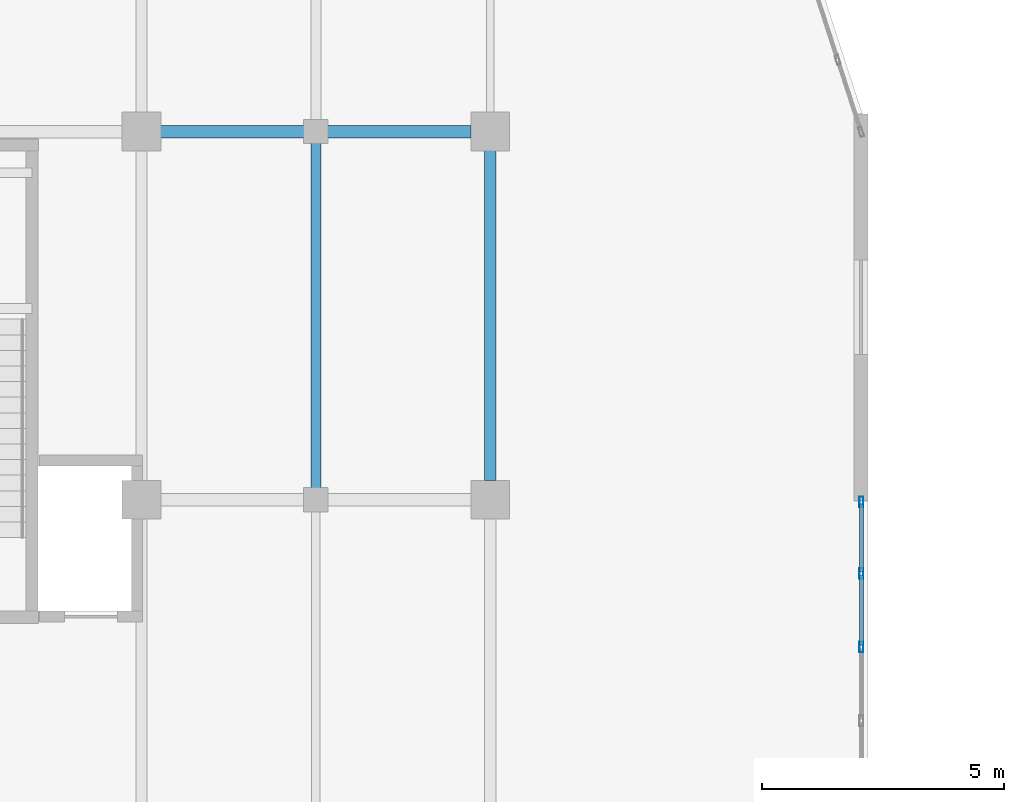
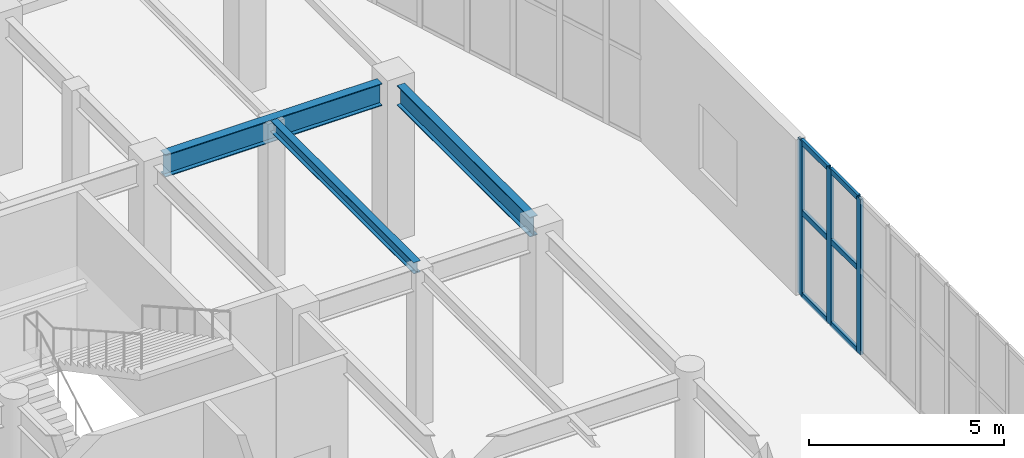
# One storey, part 47 of 128: 9 members, 3 beams, 1 element without a shape of its own.
"""IFC4 building model written with IfcOpenShell, lengths in metres."""

from ifc_helpers import new_model, si_unit, direction, frame, origin, origin_2d, place, context, subcontext, project, spatial, hollow_rectangle, i_section, extrude, material, layer, layer_set, material_profile, profile_set, type_object, element, aggregate, save


model = new_model("IFC4")

# Units and contexts
model_context = context("Model", 3, precision=1e-05, world=origin(), true_north=direction((0.0, 1.0)))
body_context = subcontext(model_context, "Body", "Model", "MODEL_VIEW")
ifc_project = project(units=[si_unit("LENGTHUNIT", "METRE"), si_unit("AREAUNIT", "SQUARE_METRE"), si_unit("VOLUMEUNIT", "CUBIC_METRE"), si_unit("PLANEANGLEUNIT", "RADIAN"), si_unit("MASSUNIT", "GRAM", prefix="KILO")], contexts=[model_context])

# Site, building, storey
site_placement = place(None, origin())
site = spatial("IfcSite", under=ifc_project, at=site_placement, CompositionType="ELEMENT")
building_placement = place(site_placement, origin())
building = spatial("IfcBuilding", under=site, at=building_placement, Name="Xicomal Pleat Aquarium", CompositionType="ELEMENT")
storey_placement = place(building_placement, frame((0.0, 0.0, 5.39990234375)))
storey = spatial("IfcBuildingStorey", under=building, at=storey_placement, Name="L02", CompositionType="ELEMENT", Elevation=5.39990234375)

# Beams
ifc_material_1 = material(Name="Structural steel A992 Gr 50", Category="steel")
ifc_material_profile_1 = material_profile(ifc_material_1, i_section(OverallWidth=0.205078125, OverallDepth=0.35400390625, WebThickness=0.009521484375, FlangeThickness=0.016845703125, at=origin_2d()), Name="IR 360x79")
ifc_profile_set_1 = profile_set([ifc_material_profile_1], Name="Structural steel A992 Gr 50")
beam_type_1 = type_object("IfcBeamType", Name="BM-STL-IR360", PredefinedType="JOIST", material=ifc_profile_set_1)
beam_1_placement = place(storey_placement, frame((114.60009765625, 53.3310546875, 4.68310546875), z_axis=(0.0, 1.0, 0.0), x_axis=(-1.0, 0.0, 0.0)))
element("IfcBeam", 1, at=beam_1_placement, inside=storey, type_object=beam_type_1, Name="L02 framing beam FBJ-L02-14-H-1", PredefinedType="JOIST", context=body_context, shape_type="SweptSolid", body=[
    extrude(i_section(OverallWidth=0.205078125, OverallDepth=0.35400390625, WebThickness=0.009521484375, FlangeThickness=0.016845703125, at=origin_2d()), origin(), (0.0, 0.0, 1.0), 7.337890625),
])
ifc_material_2 = material(Name="Structural steel A992 Gr 50", Category="steel")
ifc_material_profile_2 = material_profile(ifc_material_2, i_section(OverallWidth=0.22998046875, OverallDepth=0.616943359375, WebThickness=0.01318359375, FlangeThickness=0.022216796875, at=origin_2d()), Name="IR 610x140")
ifc_profile_set_2 = profile_set([ifc_material_profile_2], Name="Structural steel A992 Gr 50")
beam_type_2 = type_object("IfcBeamType", Name="BM-STL-IR610", PredefinedType="BEAM", material=ifc_profile_set_2)
beam_2_placement = place(storey_placement, frame((118.199951171875, 53.594970703125, 4.551513671875), z_axis=(0.0, 1.0, 0.0), x_axis=(-1.0, 0.0, 0.0)))
element("IfcBeam", 2, at=beam_2_placement, inside=storey, type_object=beam_type_2, Name="L02 framing beam FGY-L02-15-H-J", PredefinedType="BEAM", context=body_context, shape_type="SweptSolid", body=[
    extrude(i_section(OverallWidth=0.22998046875, OverallDepth=0.616943359375, WebThickness=0.01318359375, FlangeThickness=0.022216796875, at=origin_2d()), origin(), (0.0, 0.0, 1.0), 6.81005859375),
])
ifc_material_3 = material(Name="Structural steel A992 Gr 50", Category="steel")
ifc_material_profile_3 = material_profile(ifc_material_3, i_section(OverallWidth=0.256103515625, OverallDepth=0.693115234375, WebThickness=0.014404296875, FlangeThickness=0.023681640625, at=origin_2d()), Name="IR 690x170")
ifc_profile_set_3 = profile_set([ifc_material_profile_3], Name="Structural steel A992 Gr 50")
beam_type_3 = type_object("IfcBeamType", Name="BM-STL-IR690", PredefinedType="BEAM", material=ifc_profile_set_3)
beam_3_placement = place(storey_placement, frame((111.39501953125, 60.800048828125, 4.513671875), z_axis=(1.0, 0.0, 0.0), x_axis=(0.0, 1.0, 0.0)))
element("IfcBeam", 3, at=beam_3_placement, inside=storey, type_object=beam_type_3, Name="L02 framing beam FGX-L02-14-15-J", PredefinedType="BEAM", context=body_context, shape_type="SweptSolid", body=[
    extrude(i_section(OverallWidth=0.256103515625, OverallDepth=0.693115234375, WebThickness=0.014404296875, FlangeThickness=0.023681640625, at=origin_2d()), origin(), (0.0, 0.0, 1.0), 6.409912109375),
])

# Curtain wall, members
ifc_material_4 = material(Name="Bronze anodized aluminium 6063-T6", Category="aluminium")
ifc_layer = layer(ifc_material_4, 0.159912109375)
ifc_layer_set = layer_set([ifc_layer], Name="Bronze anodized aluminium 6063-T6")
curtain_wall_type = type_object("IfcCurtainWallType", Name="CW-SYS-12", PredefinedType="NOTDEFINED", material=ifc_layer_set)
curtain_wall_placement = place(storey_placement, origin())
curtain_wall = element("IfcCurtainWall", 4, at=curtain_wall_placement, inside=storey, type_object=curtain_wall_type, Name="L02 unitised curtain wall CW-L02-113", PredefinedType="NOTDEFINED")
ifc_material_5 = material(Name="Bronze anodized aluminium 6063-T6", Category="aluminium")
ifc_material_profile_4 = material_profile(ifc_material_5, hollow_rectangle(XDim=0.0849609375, YDim=0.219970703125, WallThickness=0.0048828125, at=origin_2d()), Name="ALU MULL 85x220")
ifc_profile_set_4 = profile_set([ifc_material_profile_4], Name="Bronze anodized aluminium 6063-T6")
member_type_1 = type_object("IfcMemberType", Name="CWM-85x220", PredefinedType="MULLION", material=ifc_profile_set_4)
member_1_placement = place(storey_placement, frame((125.860107421875, 53.157470703125, 0.0), z_axis=(0.0, 0.0, 1.0), x_axis=(1.0, 0.0, 0.0)))
member_1 = element("IfcMember", 5, at=member_1_placement, type_object=member_type_1, Name="CW-12 mullion 1", PredefinedType="MULLION", context=body_context, shape_type="SweptSolid", body=[
    extrude(hollow_rectangle(XDim=0.0849609375, YDim=0.219970703125, WallThickness=0.0048828125, at=origin_2d()), origin(), (0.0, 0.0, 1.0), 4.860107421875),
])
member_2_placement = place(storey_placement, frame((125.860107421875, 51.679931640625, 0.0), z_axis=(0.0, 0.0, 1.0), x_axis=(1.0, 0.0, 0.0)))
member_2 = element("IfcMember", 6, at=member_2_placement, type_object=member_type_1, Name="CW-12 mullion 2", PredefinedType="MULLION", context=body_context, shape_type="SweptSolid", body=[
    extrude(hollow_rectangle(XDim=0.0849609375, YDim=0.219970703125, WallThickness=0.0048828125, at=origin_2d()), origin(), (0.0, 0.0, 1.0), 4.860107421875),
])
member_3_placement = place(storey_placement, frame((125.860107421875, 50.159912109375, 0.0), z_axis=(0.0, 0.0, 1.0), x_axis=(1.0, 0.0, 0.0)))
member_3 = element("IfcMember", 7, at=member_3_placement, type_object=member_type_1, Name="CW-12 mullion 3", PredefinedType="MULLION", context=body_context, shape_type="SweptSolid", body=[
    extrude(hollow_rectangle(XDim=0.0849609375, YDim=0.219970703125, WallThickness=0.0048828125, at=origin_2d()), origin(), (0.0, 0.0, 1.0), 4.860107421875),
])
ifc_material_6 = material(Name="Bronze anodized aluminium 6063-T6", Category="aluminium")
ifc_material_profile_5 = material_profile(ifc_material_6, hollow_rectangle(XDim=0.0849609375, YDim=0.169921875, WallThickness=0.0048828125, at=origin_2d()), Name="ALU TRAN 85x170")
ifc_profile_set_5 = profile_set([ifc_material_profile_5], Name="Bronze anodized aluminium 6063-T6")
member_type_2 = type_object("IfcMemberType", Name="CWT-85x170", PredefinedType="USERDEFINED", material=ifc_profile_set_5)
member_4_placement = place(storey_placement, frame((125.860107421875, 53.114990234375, 0.04248046875), z_axis=(0.0, -1.0, 0.0), x_axis=(1.0, 0.0, 0.0)))
member_4 = element("IfcMember", 8, at=member_4_placement, type_object=member_type_2, Name="CW-12 transom 1.1", ObjectType="TRANSOM", PredefinedType="USERDEFINED", context=body_context, shape_type="SweptSolid", body=[
    extrude(hollow_rectangle(XDim=0.0849609375, YDim=0.169921875, WallThickness=0.0048828125, at=origin_2d()), origin(), (0.0, 0.0, 1.0), 1.392578125),
])
member_5_placement = place(storey_placement, frame((125.860107421875, 53.114990234375, 2.6240234375), z_axis=(0.0, -1.0, 0.0), x_axis=(1.0, 0.0, 0.0)))
member_5 = element("IfcMember", 9, at=member_5_placement, type_object=member_type_2, Name="CW-12 transom 1.2", ObjectType="TRANSOM", PredefinedType="USERDEFINED", context=body_context, shape_type="SweptSolid", body=[
    extrude(hollow_rectangle(XDim=0.0849609375, YDim=0.169921875, WallThickness=0.0048828125, at=origin_2d()), origin(), (0.0, 0.0, 1.0), 1.392578125),
])
member_6_placement = place(storey_placement, frame((125.860107421875, 53.114990234375, 4.817626953125), z_axis=(0.0, -1.0, 0.0), x_axis=(1.0, 0.0, 0.0)))
member_6 = element("IfcMember", 10, at=member_6_placement, type_object=member_type_2, Name="CW-12 transom 1.3", ObjectType="TRANSOM", PredefinedType="USERDEFINED", context=body_context, shape_type="SweptSolid", body=[
    extrude(hollow_rectangle(XDim=0.0849609375, YDim=0.169921875, WallThickness=0.0048828125, at=origin_2d()), origin(), (0.0, 0.0, 1.0), 1.392578125),
])
member_7_placement = place(storey_placement, frame((125.860107421875, 51.637451171875, 0.04248046875), z_axis=(0.0, -1.0, 0.0), x_axis=(1.0, 0.0, 0.0)))
member_7 = element("IfcMember", 11, at=member_7_placement, type_object=member_type_2, Name="CW-12 transom 2.1", ObjectType="TRANSOM", PredefinedType="USERDEFINED", context=body_context, shape_type="SweptSolid", body=[
    extrude(hollow_rectangle(XDim=0.0849609375, YDim=0.169921875, WallThickness=0.0048828125, at=origin_2d()), origin(), (0.0, 0.0, 1.0), 1.43505859375),
])
member_8_placement = place(storey_placement, frame((125.860107421875, 51.637451171875, 2.6240234375), z_axis=(0.0, -1.0, 0.0), x_axis=(1.0, 0.0, 0.0)))
member_8 = element("IfcMember", 12, at=member_8_placement, type_object=member_type_2, Name="CW-12 transom 2.2", ObjectType="TRANSOM", PredefinedType="USERDEFINED", context=body_context, shape_type="SweptSolid", body=[
    extrude(hollow_rectangle(XDim=0.0849609375, YDim=0.169921875, WallThickness=0.0048828125, at=origin_2d()), origin(), (0.0, 0.0, 1.0), 1.43505859375),
])
member_9_placement = place(storey_placement, frame((125.860107421875, 51.637451171875, 4.817626953125), z_axis=(0.0, -1.0, 0.0), x_axis=(1.0, 0.0, 0.0)))
member_9 = element("IfcMember", 13, at=member_9_placement, type_object=member_type_2, Name="CW-12 transom 2.3", ObjectType="TRANSOM", PredefinedType="USERDEFINED", context=body_context, shape_type="SweptSolid", body=[
    extrude(hollow_rectangle(XDim=0.0849609375, YDim=0.169921875, WallThickness=0.0048828125, at=origin_2d()), origin(), (0.0, 0.0, 1.0), 1.43505859375),
])
aggregate(curtain_wall, [member_1, member_2, member_3, member_4, member_5, member_6, member_7, member_8, member_9])

save(model, "model.ifc")
